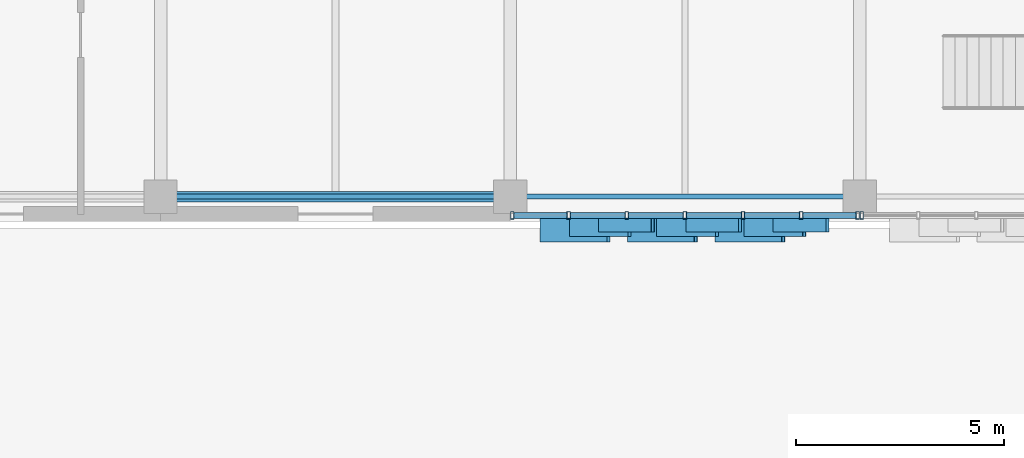
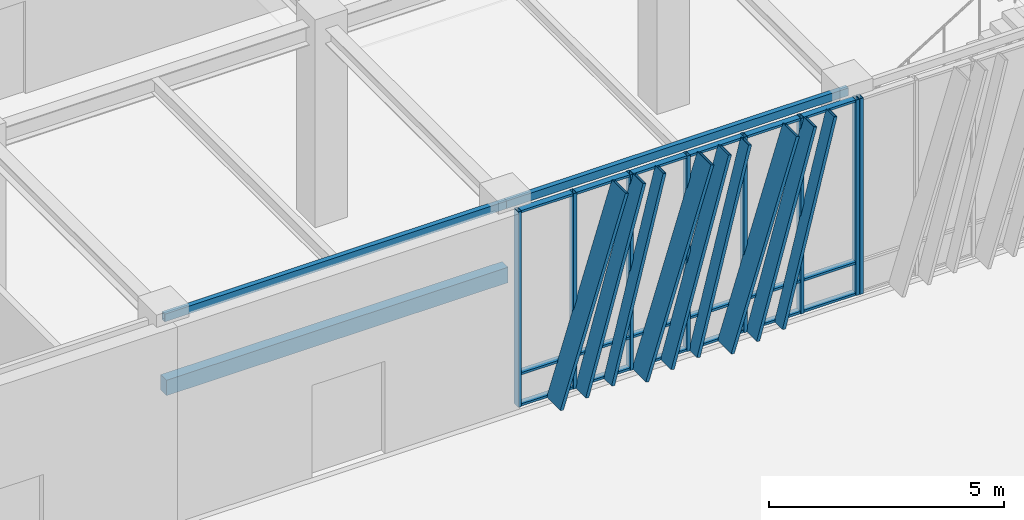
# One storey, part 10 of 122: 35 members, 3 beams, 2 elements without a shape of their own.
"""IFC4 building model written with IfcOpenShell, lengths in metres."""

from ifc_helpers import new_model, si_unit, direction, frame, origin, origin_2d, place, context, subcontext, project, spatial, rectangle, hollow_rectangle, extrude, material, layer, layer_set, material_profile, profile_set, type_object, element, aggregate, save


model = new_model("IFC4")

# Units and contexts
model_context = context("Model", 3, precision=1e-05, world=origin(), true_north=direction((0.0, 1.0)))
body_context = subcontext(model_context, "Body", "Model", "MODEL_VIEW")
ifc_project = project(units=[si_unit("LENGTHUNIT", "METRE"), si_unit("AREAUNIT", "SQUARE_METRE"), si_unit("VOLUMEUNIT", "CUBIC_METRE"), si_unit("PLANEANGLEUNIT", "RADIAN"), si_unit("MASSUNIT", "GRAM", prefix="KILO")], contexts=[model_context])

# Site, building, storey
site_placement = place(None, origin())
site = spatial("IfcSite", under=ifc_project, at=site_placement, CompositionType="ELEMENT")
building_placement = place(site_placement, origin())
building = spatial("IfcBuilding", under=site, at=building_placement, Name="Zayran Congress Hotel", CompositionType="ELEMENT")
storey_placement = place(building_placement, origin())
storey = spatial("IfcBuildingStorey", under=building, at=storey_placement, Name="L00", CompositionType="ELEMENT", Elevation=0.0)

# Beams
ifc_material_1 = material(Name="Concrete C40/50", Category="concrete")
ifc_material_profile_1 = material_profile(ifc_material_1, rectangle(XDim=0.25, YDim=0.39990234375, at=origin_2d()), Name="RC 250x400")
ifc_profile_set_1 = profile_set([ifc_material_profile_1], Name="Concrete C40/50")
beam_type_1 = type_object("IfcBeamType", Name="TP-LN-01", PredefinedType="LINTEL", material=ifc_profile_set_1)
beam_1_placement = place(storey_placement, frame((25.199951171875, 68.199951171875, 3.199951171875), z_axis=(1.0, 0.0, 0.0), x_axis=(0.0, 1.0, 0.0)))
element("IfcBeam", 1, at=beam_1_placement, inside=storey, type_object=beam_type_1, Name="BM-LIN-02", PredefinedType="LINTEL", context=body_context, shape_type="SweptSolid", body=[
    extrude(rectangle(XDim=0.25, YDim=0.39990234375, at=origin_2d()), origin(), (0.0, 0.0, 1.0), 8.400146484375),
])
ifc_material_2 = material(Name="Steel S355", Category="steel")
ifc_material_profile_2 = material_profile(ifc_material_2, hollow_rectangle(XDim=0.1201171875, YDim=0.199951171875, WallThickness=0.008056640625, at=origin_2d()), Name="RHS 200x120x8")
ifc_profile_set_2 = profile_set([ifc_material_profile_2], Name="Steel S355")
beam_type_2 = type_object("IfcBeamType", Name="TP-SP-02", PredefinedType="SPANDREL", material=ifc_profile_set_2)
beam_2_placement = place(storey_placement, frame((25.199951171875, 68.199951171875, 4.97998046875), z_axis=(1.0, 0.0, 0.0), x_axis=(0.0, 1.0, 0.0)))
element("IfcBeam", 2, at=beam_2_placement, inside=storey, type_object=beam_type_2, Name="BM-V1-L00-0391", PredefinedType="SPANDREL", context=body_context, shape_type="SweptSolid", body=[
    extrude(hollow_rectangle(XDim=0.1201171875, YDim=0.199951171875, WallThickness=0.008056640625, at=origin_2d()), origin(), (0.0, 0.0, 1.0), 8.400146484375),
])
beam_3_placement = place(storey_placement, frame((33.60009765625, 68.199951171875, 4.97998046875), z_axis=(1.0, 0.0, 0.0), x_axis=(0.0, 1.0, 0.0)))
element("IfcBeam", 3, at=beam_3_placement, inside=storey, type_object=beam_type_2, Name="BM-V1-L00-0392", PredefinedType="SPANDREL", context=body_context, shape_type="SweptSolid", body=[
    extrude(hollow_rectangle(XDim=0.1201171875, YDim=0.199951171875, WallThickness=0.008056640625, at=origin_2d()), origin(), (0.0, 0.0, 1.0), 8.39990234375),
])

# Curtain wall, members
ifc_material_3 = material(Name="Anodised aluminium and low-E insulated glass", Category="aluminium")
ifc_layer_1 = layer(ifc_material_3, 0.179931640625)
ifc_layer_set_1 = layer_set([ifc_layer_1], Name="Anodised aluminium and low-E insulated glass")
curtain_wall_type_1 = type_object("IfcCurtainWallType", Name="CW-V1S-L00-CW-11-8380-5080", PredefinedType="USERDEFINED", material=ifc_layer_set_1)
curtain_wall_1_placement = place(storey_placement, origin())
curtain_wall_1 = element("IfcCurtainWall", 4, at=curtain_wall_1_placement, inside=storey, type_object=curtain_wall_type_1, Name="CW-V1S-L00-3", ObjectType="CURTAIN WALL", PredefinedType="USERDEFINED")
ifc_material_4 = material(Name="Anodised aluminium framing", Category="aluminium")
ifc_material_profile_3 = material_profile(ifc_material_4, hollow_rectangle(XDim=0.080078125, YDim=0.179931640625, WallThickness=0.0048828125, at=origin_2d()), Name="RHS 180x80x5")
ifc_profile_set_3 = profile_set([ifc_material_profile_3], Name="Anodised aluminium framing")
member_type_1 = type_object("IfcMemberType", Name="TP-CWM-01", PredefinedType="MULLION", material=ifc_profile_set_3)
member_1_placement = place(storey_placement, frame((33.64990234375, 67.75, 0.0), z_axis=(0.0, 0.0, 1.0), x_axis=(1.0, 0.0, 0.0)))
member_1 = element("IfcMember", 5, at=member_1_placement, type_object=member_type_1, Name="CW-V1S-L00-3-M00", PredefinedType="MULLION", context=body_context, shape_type="SweptSolid", body=[
    extrude(hollow_rectangle(XDim=0.080078125, YDim=0.179931640625, WallThickness=0.0048828125, at=origin_2d()), origin(), (0.0, 0.0, 1.0), 5.080078125),
])
member_2_placement = place(storey_placement, frame((35.006591796875, 67.75, 0.0), z_axis=(0.0, 0.0, 1.0), x_axis=(1.0, 0.0, 0.0)))
member_2 = element("IfcMember", 6, at=member_2_placement, type_object=member_type_1, Name="CW-V1S-L00-3-M01", PredefinedType="MULLION", context=body_context, shape_type="SweptSolid", body=[
    extrude(hollow_rectangle(XDim=0.080078125, YDim=0.179931640625, WallThickness=0.0048828125, at=origin_2d()), origin(), (0.0, 0.0, 1.0), 5.080078125),
])
member_3_placement = place(storey_placement, frame((36.4033203125, 67.75, 0.0), z_axis=(0.0, 0.0, 1.0), x_axis=(1.0, 0.0, 0.0)))
member_3 = element("IfcMember", 7, at=member_3_placement, type_object=member_type_1, Name="CW-V1S-L00-3-M02", PredefinedType="MULLION", context=body_context, shape_type="SweptSolid", body=[
    extrude(hollow_rectangle(XDim=0.080078125, YDim=0.179931640625, WallThickness=0.0048828125, at=origin_2d()), origin(), (0.0, 0.0, 1.0), 5.080078125),
])
member_4_placement = place(storey_placement, frame((37.800048828125, 67.75, 0.0), z_axis=(0.0, 0.0, 1.0), x_axis=(1.0, 0.0, 0.0)))
member_4 = element("IfcMember", 8, at=member_4_placement, type_object=member_type_1, Name="CW-V1S-L00-3-M03", PredefinedType="MULLION", context=body_context, shape_type="SweptSolid", body=[
    extrude(hollow_rectangle(XDim=0.080078125, YDim=0.179931640625, WallThickness=0.0048828125, at=origin_2d()), origin(), (0.0, 0.0, 1.0), 5.080078125),
])
member_5_placement = place(storey_placement, frame((39.19677734375, 67.75, 0.0), z_axis=(0.0, 0.0, 1.0), x_axis=(1.0, 0.0, 0.0)))
member_5 = element("IfcMember", 9, at=member_5_placement, type_object=member_type_1, Name="CW-V1S-L00-3-M04", PredefinedType="MULLION", context=body_context, shape_type="SweptSolid", body=[
    extrude(hollow_rectangle(XDim=0.080078125, YDim=0.179931640625, WallThickness=0.0048828125, at=origin_2d()), origin(), (0.0, 0.0, 1.0), 5.080078125),
])
member_6_placement = place(storey_placement, frame((40.59326171875, 67.75, 0.0), z_axis=(0.0, 0.0, 1.0), x_axis=(1.0, 0.0, 0.0)))
member_6 = element("IfcMember", 10, at=member_6_placement, type_object=member_type_1, Name="CW-V1S-L00-3-M05", PredefinedType="MULLION", context=body_context, shape_type="SweptSolid", body=[
    extrude(hollow_rectangle(XDim=0.080078125, YDim=0.179931640625, WallThickness=0.0048828125, at=origin_2d()), origin(), (0.0, 0.0, 1.0), 5.080078125),
])
member_7_placement = place(storey_placement, frame((41.949951171875, 67.75, 0.0), z_axis=(0.0, 0.0, 1.0), x_axis=(1.0, 0.0, 0.0)))
member_7 = element("IfcMember", 11, at=member_7_placement, type_object=member_type_1, Name="CW-V1S-L00-3-M06", PredefinedType="MULLION", context=body_context, shape_type="SweptSolid", body=[
    extrude(hollow_rectangle(XDim=0.080078125, YDim=0.179931640625, WallThickness=0.0048828125, at=origin_2d()), origin(), (0.0, 0.0, 1.0), 5.080078125),
])

# Curtain wall, member
ifc_layer_2 = layer(ifc_material_3, 0.179931640625)
ifc_layer_set_2 = layer_set([ifc_layer_2], Name="Anodised aluminium and low-E insulated glass")
curtain_wall_type_2 = type_object("IfcCurtainWallType", Name="CW-V1S-L00-CW-12-8380-5080", PredefinedType="USERDEFINED", material=ifc_layer_set_2)
curtain_wall_2_placement = place(storey_placement, origin())
curtain_wall_2 = element("IfcCurtainWall", 12, at=curtain_wall_2_placement, inside=storey, type_object=curtain_wall_type_2, Name="CW-V1S-L00-4", ObjectType="CURTAIN WALL", PredefinedType="USERDEFINED")
member_8_placement = place(storey_placement, frame((42.050048828125, 67.75, 0.0), z_axis=(0.0, 0.0, 1.0), x_axis=(1.0, 0.0, 0.0)))
member_8 = element("IfcMember", 13, at=member_8_placement, type_object=member_type_1, Name="CW-V1S-L00-4-M00", PredefinedType="MULLION", context=body_context, shape_type="SweptSolid", body=[
    extrude(hollow_rectangle(XDim=0.080078125, YDim=0.179931640625, WallThickness=0.0048828125, at=origin_2d()), origin(), (0.0, 0.0, 1.0), 5.080078125),
])
aggregate(curtain_wall_2, [member_8])

# Member
ifc_material_profile_4 = material_profile(ifc_material_4, hollow_rectangle(XDim=0.06005859375, YDim=0.14990234375, WallThickness=0.00390625, at=origin_2d()), Name="RHS 150x60x4")
ifc_profile_set_4 = profile_set([ifc_material_profile_4], Name="Anodised aluminium framing")
member_type_2 = type_object("IfcMemberType", Name="TP-CWT-01", PredefinedType="USERDEFINED", material=ifc_profile_set_4)
member_9_placement = place(storey_placement, frame((33.68994140625, 67.75, 0.030029296875), z_axis=(1.0, 0.0, 0.0), x_axis=(0.0, 0.0, 1.0)))
member_9 = element("IfcMember", 14, at=member_9_placement, type_object=member_type_2, Name="CW-V1S-L00-3-T00-0", ObjectType="TRANSOM", PredefinedType="USERDEFINED", context=body_context, shape_type="SweptSolid", body=[
    extrude(hollow_rectangle(XDim=0.06005859375, YDim=0.14990234375, WallThickness=0.00390625, at=origin_2d()), origin(), (0.0, 0.0, 1.0), 1.27685546875),
])

member_10_placement = place(storey_placement, frame((33.68994140625, 67.75, 0.840087890625), z_axis=(1.0, 0.0, 0.0), x_axis=(0.0, 0.0, 1.0)))
member_10 = element("IfcMember", 15, at=member_10_placement, type_object=member_type_2, Name="CW-V1S-L00-3-T00-1", ObjectType="TRANSOM", PredefinedType="USERDEFINED", context=body_context, shape_type="SweptSolid", body=[
    extrude(hollow_rectangle(XDim=0.06005859375, YDim=0.14990234375, WallThickness=0.00390625, at=origin_2d()), origin(), (0.0, 0.0, 1.0), 1.27685546875),
])

member_11_placement = place(storey_placement, frame((33.68994140625, 67.75, 5.050048828125), z_axis=(1.0, 0.0, 0.0), x_axis=(0.0, 0.0, 1.0)))
member_11 = element("IfcMember", 16, at=member_11_placement, type_object=member_type_2, Name="CW-V1S-L00-3-T00-2", ObjectType="TRANSOM", PredefinedType="USERDEFINED", context=body_context, shape_type="SweptSolid", body=[
    extrude(hollow_rectangle(XDim=0.06005859375, YDim=0.14990234375, WallThickness=0.00390625, at=origin_2d()), origin(), (0.0, 0.0, 1.0), 1.27685546875),
])

member_12_placement = place(storey_placement, frame((35.046630859375, 67.75, 0.030029296875), z_axis=(1.0, 0.0, 0.0), x_axis=(0.0, 0.0, 1.0)))
member_12 = element("IfcMember", 17, at=member_12_placement, type_object=member_type_2, Name="CW-V1S-L00-3-T01-0", ObjectType="TRANSOM", PredefinedType="USERDEFINED", context=body_context, shape_type="SweptSolid", body=[
    extrude(hollow_rectangle(XDim=0.06005859375, YDim=0.14990234375, WallThickness=0.00390625, at=origin_2d()), origin(), (0.0, 0.0, 1.0), 1.316650390625),
])

member_13_placement = place(storey_placement, frame((35.046630859375, 67.75, 0.840087890625), z_axis=(1.0, 0.0, 0.0), x_axis=(0.0, 0.0, 1.0)))
member_13 = element("IfcMember", 18, at=member_13_placement, type_object=member_type_2, Name="CW-V1S-L00-3-T01-1", ObjectType="TRANSOM", PredefinedType="USERDEFINED", context=body_context, shape_type="SweptSolid", body=[
    extrude(hollow_rectangle(XDim=0.06005859375, YDim=0.14990234375, WallThickness=0.00390625, at=origin_2d()), origin(), (0.0, 0.0, 1.0), 1.316650390625),
])

member_14_placement = place(storey_placement, frame((35.046630859375, 67.75, 5.050048828125), z_axis=(1.0, 0.0, 0.0), x_axis=(0.0, 0.0, 1.0)))
member_14 = element("IfcMember", 19, at=member_14_placement, type_object=member_type_2, Name="CW-V1S-L00-3-T01-2", ObjectType="TRANSOM", PredefinedType="USERDEFINED", context=body_context, shape_type="SweptSolid", body=[
    extrude(hollow_rectangle(XDim=0.06005859375, YDim=0.14990234375, WallThickness=0.00390625, at=origin_2d()), origin(), (0.0, 0.0, 1.0), 1.316650390625),
])

member_15_placement = place(storey_placement, frame((36.443359375, 67.75, 0.030029296875), z_axis=(1.0, 0.0, 0.0), x_axis=(0.0, 0.0, 1.0)))
member_15 = element("IfcMember", 20, at=member_15_placement, type_object=member_type_2, Name="CW-V1S-L00-3-T02-0", ObjectType="TRANSOM", PredefinedType="USERDEFINED", context=body_context, shape_type="SweptSolid", body=[
    extrude(hollow_rectangle(XDim=0.06005859375, YDim=0.14990234375, WallThickness=0.00390625, at=origin_2d()), origin(), (0.0, 0.0, 1.0), 1.316650390625),
])

member_16_placement = place(storey_placement, frame((36.443359375, 67.75, 0.840087890625), z_axis=(1.0, 0.0, 0.0), x_axis=(0.0, 0.0, 1.0)))
member_16 = element("IfcMember", 21, at=member_16_placement, type_object=member_type_2, Name="CW-V1S-L00-3-T02-1", ObjectType="TRANSOM", PredefinedType="USERDEFINED", context=body_context, shape_type="SweptSolid", body=[
    extrude(hollow_rectangle(XDim=0.06005859375, YDim=0.14990234375, WallThickness=0.00390625, at=origin_2d()), origin(), (0.0, 0.0, 1.0), 1.316650390625),
])

member_17_placement = place(storey_placement, frame((36.443359375, 67.75, 5.050048828125), z_axis=(1.0, 0.0, 0.0), x_axis=(0.0, 0.0, 1.0)))
member_17 = element("IfcMember", 22, at=member_17_placement, type_object=member_type_2, Name="CW-V1S-L00-3-T02-2", ObjectType="TRANSOM", PredefinedType="USERDEFINED", context=body_context, shape_type="SweptSolid", body=[
    extrude(hollow_rectangle(XDim=0.06005859375, YDim=0.14990234375, WallThickness=0.00390625, at=origin_2d()), origin(), (0.0, 0.0, 1.0), 1.316650390625),
])

member_18_placement = place(storey_placement, frame((37.840087890625, 67.75, 0.030029296875), z_axis=(1.0, 0.0, 0.0), x_axis=(0.0, 0.0, 1.0)))
member_18 = element("IfcMember", 23, at=member_18_placement, type_object=member_type_2, Name="CW-V1S-L00-3-T03-0", ObjectType="TRANSOM", PredefinedType="USERDEFINED", context=body_context, shape_type="SweptSolid", body=[
    extrude(hollow_rectangle(XDim=0.06005859375, YDim=0.14990234375, WallThickness=0.00390625, at=origin_2d()), origin(), (0.0, 0.0, 1.0), 1.316650390625),
])

member_19_placement = place(storey_placement, frame((37.840087890625, 67.75, 0.840087890625), z_axis=(1.0, 0.0, 0.0), x_axis=(0.0, 0.0, 1.0)))
member_19 = element("IfcMember", 24, at=member_19_placement, type_object=member_type_2, Name="CW-V1S-L00-3-T03-1", ObjectType="TRANSOM", PredefinedType="USERDEFINED", context=body_context, shape_type="SweptSolid", body=[
    extrude(hollow_rectangle(XDim=0.06005859375, YDim=0.14990234375, WallThickness=0.00390625, at=origin_2d()), origin(), (0.0, 0.0, 1.0), 1.316650390625),
])

member_20_placement = place(storey_placement, frame((37.840087890625, 67.75, 5.050048828125), z_axis=(1.0, 0.0, 0.0), x_axis=(0.0, 0.0, 1.0)))
member_20 = element("IfcMember", 25, at=member_20_placement, type_object=member_type_2, Name="CW-V1S-L00-3-T03-2", ObjectType="TRANSOM", PredefinedType="USERDEFINED", context=body_context, shape_type="SweptSolid", body=[
    extrude(hollow_rectangle(XDim=0.06005859375, YDim=0.14990234375, WallThickness=0.00390625, at=origin_2d()), origin(), (0.0, 0.0, 1.0), 1.316650390625),
])

member_21_placement = place(storey_placement, frame((39.23681640625, 67.75, 0.030029296875), z_axis=(1.0, 0.0, 0.0), x_axis=(0.0, 0.0, 1.0)))
member_21 = element("IfcMember", 26, at=member_21_placement, type_object=member_type_2, Name="CW-V1S-L00-3-T04-0", ObjectType="TRANSOM", PredefinedType="USERDEFINED", context=body_context, shape_type="SweptSolid", body=[
    extrude(hollow_rectangle(XDim=0.06005859375, YDim=0.14990234375, WallThickness=0.00390625, at=origin_2d()), origin(), (0.0, 0.0, 1.0), 1.31640625),
])

member_22_placement = place(storey_placement, frame((39.23681640625, 67.75, 0.840087890625), z_axis=(1.0, 0.0, 0.0), x_axis=(0.0, 0.0, 1.0)))
member_22 = element("IfcMember", 27, at=member_22_placement, type_object=member_type_2, Name="CW-V1S-L00-3-T04-1", ObjectType="TRANSOM", PredefinedType="USERDEFINED", context=body_context, shape_type="SweptSolid", body=[
    extrude(hollow_rectangle(XDim=0.06005859375, YDim=0.14990234375, WallThickness=0.00390625, at=origin_2d()), origin(), (0.0, 0.0, 1.0), 1.31640625),
])

member_23_placement = place(storey_placement, frame((39.23681640625, 67.75, 5.050048828125), z_axis=(1.0, 0.0, 0.0), x_axis=(0.0, 0.0, 1.0)))
member_23 = element("IfcMember", 28, at=member_23_placement, type_object=member_type_2, Name="CW-V1S-L00-3-T04-2", ObjectType="TRANSOM", PredefinedType="USERDEFINED", context=body_context, shape_type="SweptSolid", body=[
    extrude(hollow_rectangle(XDim=0.06005859375, YDim=0.14990234375, WallThickness=0.00390625, at=origin_2d()), origin(), (0.0, 0.0, 1.0), 1.31640625),
])

member_24_placement = place(storey_placement, frame((40.63330078125, 67.75, 0.030029296875), z_axis=(1.0, 0.0, 0.0), x_axis=(0.0, 0.0, 1.0)))
member_24 = element("IfcMember", 29, at=member_24_placement, type_object=member_type_2, Name="CW-V1S-L00-3-T05-0", ObjectType="TRANSOM", PredefinedType="USERDEFINED", context=body_context, shape_type="SweptSolid", body=[
    extrude(hollow_rectangle(XDim=0.06005859375, YDim=0.14990234375, WallThickness=0.00390625, at=origin_2d()), origin(), (0.0, 0.0, 1.0), 1.276611328125),
])

member_25_placement = place(storey_placement, frame((40.63330078125, 67.75, 0.840087890625), z_axis=(1.0, 0.0, 0.0), x_axis=(0.0, 0.0, 1.0)))
member_25 = element("IfcMember", 30, at=member_25_placement, type_object=member_type_2, Name="CW-V1S-L00-3-T05-1", ObjectType="TRANSOM", PredefinedType="USERDEFINED", context=body_context, shape_type="SweptSolid", body=[
    extrude(hollow_rectangle(XDim=0.06005859375, YDim=0.14990234375, WallThickness=0.00390625, at=origin_2d()), origin(), (0.0, 0.0, 1.0), 1.276611328125),
])

member_26_placement = place(storey_placement, frame((40.63330078125, 67.75, 5.050048828125), z_axis=(1.0, 0.0, 0.0), x_axis=(0.0, 0.0, 1.0)))
member_26 = element("IfcMember", 31, at=member_26_placement, type_object=member_type_2, Name="CW-V1S-L00-3-T05-2", ObjectType="TRANSOM", PredefinedType="USERDEFINED", context=body_context, shape_type="SweptSolid", body=[
    extrude(hollow_rectangle(XDim=0.06005859375, YDim=0.14990234375, WallThickness=0.00390625, at=origin_2d()), origin(), (0.0, 0.0, 1.0), 1.276611328125),
])

ifc_material_5 = material(Name="Warm bronze anodised aluminium", Category="aluminium")
ifc_material_profile_5 = material_profile(ifc_material_5, hollow_rectangle(XDim=0.080078125, YDim=0.580078125, WallThickness=0.006103515625, at=origin_2d()), Name="RHS 580x80x6")
ifc_profile_set_5 = profile_set([ifc_material_profile_5], Name="Warm bronze anodised aluminium")
member_type_3 = type_object("IfcMemberType", Name="TP-RFN-01", PredefinedType="MULLION", material=ifc_profile_set_5)
member_27_placement = place(storey_placement, frame((34.360107421875, 67.39990234375, 0.0), z_axis=(0.300675065474, 0.0, 0.953726640606), x_axis=(-0.953726640606, 0.0, 0.300675065474)))
member_27 = element("IfcMember", 32, at=member_27_placement, type_object=member_type_3, Name="Slanting Reed Mullion CW-11-01", PredefinedType="MULLION", context=body_context, shape_type="SweptSolid", body=[
    extrude(hollow_rectangle(XDim=0.080078125, YDim=0.580078125, WallThickness=0.006103515625, at=origin_2d()), origin(), (0.0, 0.0, 1.0), 5.32666015625),
])

member_28_placement = place(storey_placement, frame((36.4599609375, 67.39990234375, 0.0), z_axis=(0.300716755525, 0.0, 0.953713496259), x_axis=(-0.953713496259, 0.0, 0.300716755525)))
member_28 = element("IfcMember", 33, at=member_28_placement, type_object=member_type_3, Name="Slanting Reed Mullion CW-11-04", PredefinedType="MULLION", context=body_context, shape_type="SweptSolid", body=[
    extrude(hollow_rectangle(XDim=0.080078125, YDim=0.580078125, WallThickness=0.006103515625, at=origin_2d()), origin(), (0.0, 0.0, 1.0), 5.32666015625),
])

member_29_placement = place(storey_placement, frame((38.56005859375, 67.39990234375, 0.0), z_axis=(0.300675065474, 0.0, 0.953726640606), x_axis=(-0.953726640606, 0.0, 0.300675065474)))
member_29 = element("IfcMember", 34, at=member_29_placement, type_object=member_type_3, Name="Slanting Reed Mullion CW-11-07", PredefinedType="MULLION", context=body_context, shape_type="SweptSolid", body=[
    extrude(hollow_rectangle(XDim=0.080078125, YDim=0.580078125, WallThickness=0.006103515625, at=origin_2d()), origin(), (0.0, 0.0, 1.0), 5.32666015625),
])

ifc_material_profile_6 = material_profile(ifc_material_5, hollow_rectangle(XDim=0.080078125, YDim=0.449951171875, WallThickness=0.006103515625, at=origin_2d()), Name="RHS 450x80x6")
ifc_profile_set_6 = profile_set([ifc_material_profile_6], Name="Warm bronze anodised aluminium")
member_type_4 = type_object("IfcMemberType", Name="TP-RFN-02", PredefinedType="MULLION", material=ifc_profile_set_6)
member_30_placement = place(storey_placement, frame((35.06005859375, 67.465087890625, 0.0), z_axis=(0.267213902124, 0.0, 0.963637240102), x_axis=(-0.963637240102, 0.0, 0.267213902124)))
member_30 = element("IfcMember", 35, at=member_30_placement, type_object=member_type_4, Name="Slanting Reed Mullion CW-11-02", PredefinedType="MULLION", context=body_context, shape_type="SweptSolid", body=[
    extrude(hollow_rectangle(XDim=0.080078125, YDim=0.449951171875, WallThickness=0.006103515625, at=origin_2d()), origin(), (0.0, 0.0, 1.0), 5.271728515625),
])

member_31_placement = place(storey_placement, frame((37.159912109375, 67.465087890625, 0.0), z_axis=(0.267256905477, 0.0, 0.96362531436), x_axis=(-0.96362531436, 0.0, 0.267256905477)))
member_31 = element("IfcMember", 36, at=member_31_placement, type_object=member_type_4, Name="Slanting Reed Mullion CW-11-05", PredefinedType="MULLION", context=body_context, shape_type="SweptSolid", body=[
    extrude(hollow_rectangle(XDim=0.080078125, YDim=0.449951171875, WallThickness=0.006103515625, at=origin_2d()), origin(), (0.0, 0.0, 1.0), 5.271728515625),
])

member_32_placement = place(storey_placement, frame((39.260009765625, 67.465087890625, 0.0), z_axis=(0.267213902124, 0.0, 0.963637240102), x_axis=(-0.963637240102, 0.0, 0.267213902124)))
member_32 = element("IfcMember", 37, at=member_32_placement, type_object=member_type_4, Name="Slanting Reed Mullion CW-11-08", PredefinedType="MULLION", context=body_context, shape_type="SweptSolid", body=[
    extrude(hollow_rectangle(XDim=0.080078125, YDim=0.449951171875, WallThickness=0.006103515625, at=origin_2d()), origin(), (0.0, 0.0, 1.0), 5.271728515625),
])

ifc_material_profile_7 = material_profile(ifc_material_5, hollow_rectangle(XDim=0.080078125, YDim=0.340087890625, WallThickness=0.006103515625, at=origin_2d()), Name="RHS 340x80x6")
ifc_profile_set_7 = profile_set([ifc_material_profile_7], Name="Warm bronze anodised aluminium")
member_type_5 = type_object("IfcMemberType", Name="TP-RFN-03", PredefinedType="MULLION", material=ifc_profile_set_7)
member_33_placement = place(storey_placement, frame((35.760009765625, 67.52001953125, 0.0), z_axis=(0.241921145618, 0.0, 0.970295913267), x_axis=(-0.970295913267, 0.0, 0.241921145618)))
member_33 = element("IfcMember", 38, at=member_33_placement, type_object=member_type_5, Name="Slanting Reed Mullion CW-11-03", PredefinedType="MULLION", context=body_context, shape_type="SweptSolid", body=[
    extrude(hollow_rectangle(XDim=0.080078125, YDim=0.340087890625, WallThickness=0.006103515625, at=origin_2d()), origin(), (0.0, 0.0, 1.0), 5.235595703125),
])

member_34_placement = place(storey_placement, frame((37.860107421875, 67.52001953125, 0.0), z_axis=(0.241921145618, 0.0, 0.970295913267), x_axis=(-0.970295913267, 0.0, 0.241921145618)))
member_34 = element("IfcMember", 39, at=member_34_placement, type_object=member_type_5, Name="Slanting Reed Mullion CW-11-06", PredefinedType="MULLION", context=body_context, shape_type="SweptSolid", body=[
    extrude(hollow_rectangle(XDim=0.080078125, YDim=0.340087890625, WallThickness=0.006103515625, at=origin_2d()), origin(), (0.0, 0.0, 1.0), 5.235595703125),
])

member_35_placement = place(storey_placement, frame((39.9599609375, 67.52001953125, 0.0), z_axis=(0.241921145618, 0.0, 0.970295913267), x_axis=(-0.970295913267, 0.0, 0.241921145618)))
member_35 = element("IfcMember", 40, at=member_35_placement, type_object=member_type_5, Name="Slanting Reed Mullion CW-11-09", PredefinedType="MULLION", context=body_context, shape_type="SweptSolid", body=[
    extrude(hollow_rectangle(XDim=0.080078125, YDim=0.340087890625, WallThickness=0.006103515625, at=origin_2d()), origin(), (0.0, 0.0, 1.0), 5.235595703125),
])

aggregate(curtain_wall_1, [member_1, member_2, member_3, member_4, member_5, member_6, member_7, member_9, member_10, member_11, member_12, member_13, member_14, member_15, member_16, member_17, member_18, member_19, member_20, member_21, member_22, member_23, member_24, member_25, member_26, member_27, member_30, member_33, member_28, member_31, member_34, member_29, member_32, member_35])

save(model, "model.ifc")
